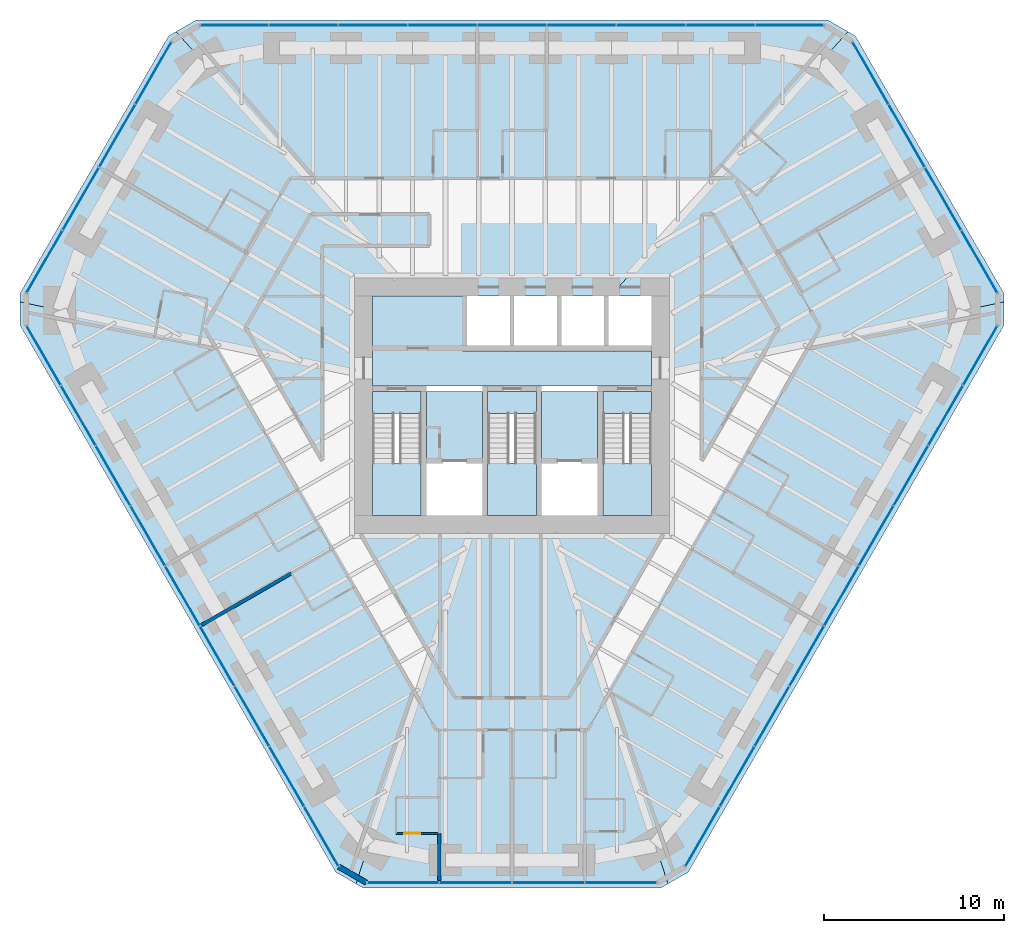
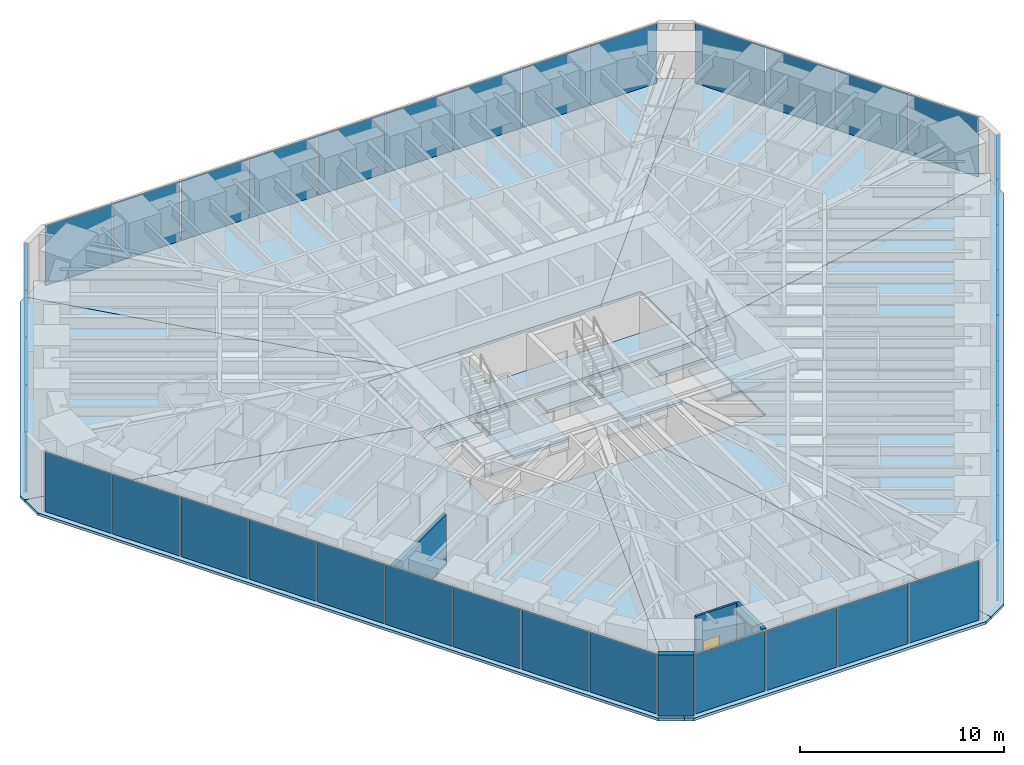
# One storey, part 10 of 16: 39 plates, 15 slabs, 4 walls, 1 door, 1 opening, 9 elements without a shape of their own.
"""IFC4 building model written with IfcOpenShell, lengths in metres."""

from ifc_helpers import new_model, si_unit, direction, frame, frame_2d, origin, origin_2d, place, context, subcontext, project, spatial, polyline, rectangle, outline, extrude, material, layer, layer_set, type_object, element, fill, aggregate, save


model = new_model("IFC4")

# Units and contexts
model_context = context("Model", 3, precision=1e-05, world=origin(), true_north=direction((0.0, 1.0)))
body_context = subcontext(model_context, "Body", "Model", "MODEL_VIEW")
ifc_project = project(units=[si_unit("LENGTHUNIT", "METRE"), si_unit("AREAUNIT", "SQUARE_METRE"), si_unit("VOLUMEUNIT", "CUBIC_METRE"), si_unit("PLANEANGLEUNIT", "RADIAN"), si_unit("MASSUNIT", "GRAM", prefix="KILO")], contexts=[model_context])

# Site, building, storey
site_placement = place(None, origin())
site = spatial("IfcSite", under=ifc_project, at=site_placement, CompositionType="ELEMENT")
building_placement = place(site_placement, origin())
building = spatial("IfcBuilding", under=site, at=building_placement, Name="Sandreach Pilgrim Tower", CompositionType="ELEMENT")
storey_placement = place(building_placement, frame((0.0, 0.0, 183.199951171875)))
storey = spatial("IfcBuildingStorey", under=building, at=storey_placement, Name="L45", CompositionType="ELEMENT", Elevation=183.199951171875)

# Curtain wall, plates
ifc_material_1 = material(Name="Aluminium framed curtain wall", Category="aluminium")
curtain_wall_type = type_object("IfcCurtainWallType", Name="Upper hotel tower curtain wall", PredefinedType="NOTDEFINED", material=ifc_material_1)
curtain_wall_1_placement = place(storey_placement, origin())
curtain_wall_1 = element("IfcCurtainWall", 1, at=curtain_wall_1_placement, inside=storey, type_object=curtain_wall_type, Name="CW-3 L45 N", PredefinedType="NOTDEFINED")
ifc_material_2 = material(Name="Insulating glass unit 12.76 laminated + 20 argon + 12.76 laminated", Category="glass")
ifc_layer_1 = layer(ifc_material_2, 0.0458984375)
ifc_layer_set_1 = layer_set([ifc_layer_1], Name="CW-3 panel")
plate_type = type_object("IfcPlateType", Name="CW-3 panel", PredefinedType="CURTAIN_PANEL", material=ifc_layer_set_1)
plate_1_placement = place(storey_placement, frame((-15.44140625, 21.16015625, 0.0), z_axis=(0.0, 0.0, 1.0), x_axis=(1.0, 0.0, 0.0)))
plate_1 = element("IfcPlate", 2, at=plate_1_placement, type_object=plate_type, Name="CW-3 panel 1", PredefinedType="CURTAIN_PANEL", context=body_context, shape_type="SweptSolid", body=[
    extrude(rectangle(XDim=3.766845703125, YDim=0.0458984375, at=origin_2d()), origin(), (0.0, 0.0, 1.0), 3.570068359375),
])
plate_2_placement = place(storey_placement, frame((-11.59326171875, 21.16015625, 0.0), z_axis=(0.0, 0.0, 1.0), x_axis=(1.0, 0.0, 0.0)))
plate_2 = element("IfcPlate", 3, at=plate_2_placement, type_object=plate_type, Name="CW-3 panel 2", PredefinedType="CURTAIN_PANEL", context=body_context, shape_type="SweptSolid", body=[
    extrude(rectangle(XDim=3.79931640625, YDim=0.0458984375, at=origin_2d()), origin(), (0.0, 0.0, 1.0), 3.570068359375),
])
plate_3_placement = place(storey_placement, frame((-7.728759765625, 21.16015625, 0.0), z_axis=(0.0, 0.0, 1.0), x_axis=(1.0, 0.0, 0.0)))
plate_3 = element("IfcPlate", 4, at=plate_3_placement, type_object=plate_type, Name="CW-3 panel 3", PredefinedType="CURTAIN_PANEL", context=body_context, shape_type="SweptSolid", body=[
    extrude(rectangle(XDim=3.79931640625, YDim=0.0458984375, at=origin_2d()), origin(), (0.0, 0.0, 1.0), 3.570068359375),
])
plate_4_placement = place(storey_placement, frame((-3.864501953125, 21.16015625, 0.0), z_axis=(0.0, 0.0, 1.0), x_axis=(1.0, 0.0, 0.0)))
plate_4 = element("IfcPlate", 5, at=plate_4_placement, type_object=plate_type, Name="CW-3 panel 4", PredefinedType="CURTAIN_PANEL", context=body_context, shape_type="SweptSolid", body=[
    extrude(rectangle(XDim=3.79931640625, YDim=0.0458984375, at=origin_2d()), origin(), (0.0, 0.0, 1.0), 3.570068359375),
])
plate_5_placement = place(storey_placement, frame((0.0, 21.16015625, 0.0), z_axis=(0.0, 0.0, 1.0), x_axis=(1.0, 0.0, 0.0)))
plate_5 = element("IfcPlate", 6, at=plate_5_placement, type_object=plate_type, Name="CW-3 panel 5", PredefinedType="CURTAIN_PANEL", context=body_context, shape_type="SweptSolid", body=[
    extrude(rectangle(XDim=3.79931640625, YDim=0.0458984375, at=origin_2d()), origin(), (0.0, 0.0, 1.0), 3.570068359375),
])
plate_6_placement = place(storey_placement, frame((3.864501953125, 21.16015625, 0.0), z_axis=(0.0, 0.0, 1.0), x_axis=(1.0, 0.0, 0.0)))
plate_6 = element("IfcPlate", 7, at=plate_6_placement, type_object=plate_type, Name="CW-3 panel 6", PredefinedType="CURTAIN_PANEL", context=body_context, shape_type="SweptSolid", body=[
    extrude(rectangle(XDim=3.79931640625, YDim=0.0458984375, at=origin_2d()), origin(), (0.0, 0.0, 1.0), 3.570068359375),
])
plate_7_placement = place(storey_placement, frame((7.728759765625, 21.16015625, 0.0), z_axis=(0.0, 0.0, 1.0), x_axis=(1.0, 0.0, 0.0)))
plate_7 = element("IfcPlate", 8, at=plate_7_placement, type_object=plate_type, Name="CW-3 panel 7", PredefinedType="CURTAIN_PANEL", context=body_context, shape_type="SweptSolid", body=[
    extrude(rectangle(XDim=3.79931640625, YDim=0.0458984375, at=origin_2d()), origin(), (0.0, 0.0, 1.0), 3.570068359375),
])
plate_8_placement = place(storey_placement, frame((11.59326171875, 21.16015625, 0.0), z_axis=(0.0, 0.0, 1.0), x_axis=(1.0, 0.0, 0.0)))
plate_8 = element("IfcPlate", 9, at=plate_8_placement, type_object=plate_type, Name="CW-3 panel 8", PredefinedType="CURTAIN_PANEL", context=body_context, shape_type="SweptSolid", body=[
    extrude(rectangle(XDim=3.79931640625, YDim=0.0458984375, at=origin_2d()), origin(), (0.0, 0.0, 1.0), 3.570068359375),
])
plate_9_placement = place(storey_placement, frame((15.44140625, 21.16015625, 0.0), z_axis=(0.0, 0.0, 1.0), x_axis=(1.0, 0.0, 0.0)))
plate_9 = element("IfcPlate", 10, at=plate_9_placement, type_object=plate_type, Name="CW-3 panel 9", PredefinedType="CURTAIN_PANEL", context=body_context, shape_type="SweptSolid", body=[
    extrude(rectangle(XDim=3.766845703125, YDim=0.0458984375, at=origin_2d()), origin(), (0.0, 0.0, 1.0), 3.570068359375),
])
aggregate(curtain_wall_1, [plate_1, plate_2, plate_3, plate_4, plate_5, plate_6, plate_7, plate_8, plate_9])

curtain_wall_2_placement = place(storey_placement, origin())
curtain_wall_2 = element("IfcCurtainWall", 11, at=curtain_wall_2_placement, inside=storey, type_object=curtain_wall_type, Name="CW-3 L45 NE", PredefinedType="NOTDEFINED")
plate_10_placement = place(storey_placement, frame((19.943115234375, 18.5078125, 0.0), z_axis=(0.0, 0.0, 1.0), x_axis=(0.5, -0.866025403784, 0.0)))
plate_10 = element("IfcPlate", 12, at=plate_10_placement, type_object=plate_type, Name="CW-3 panel 1", PredefinedType="CURTAIN_PANEL", context=body_context, shape_type="SweptSolid", body=[
    extrude(rectangle(XDim=3.951171875, YDim=0.0458984375, at=origin_2d()), origin(), (0.0, 0.0, 1.0), 3.570068359375),
])
plate_11_placement = place(storey_placement, frame((21.959228515625, 15.015625, 0.0), z_axis=(0.0, 0.0, 1.0), x_axis=(0.5, -0.866025403784, 0.0)))
plate_11 = element("IfcPlate", 13, at=plate_11_placement, type_object=plate_type, Name="CW-3 panel 2", PredefinedType="CURTAIN_PANEL", context=body_context, shape_type="SweptSolid", body=[
    extrude(rectangle(XDim=3.983642578125, YDim=0.0458984375, at=origin_2d()), origin(), (0.0, 0.0, 1.0), 3.570068359375),
])
plate_12_placement = place(storey_placement, frame((23.983642578125, 11.509521484375, 0.0), z_axis=(0.0, 0.0, 1.0), x_axis=(0.5, -0.866025403784, 0.0)))
plate_12 = element("IfcPlate", 14, at=plate_12_placement, type_object=plate_type, Name="CW-3 panel 3", PredefinedType="CURTAIN_PANEL", context=body_context, shape_type="SweptSolid", body=[
    extrude(rectangle(XDim=3.983642578125, YDim=0.0458984375, at=origin_2d()), origin(), (0.0, 0.0, 1.0), 3.570068359375),
])
plate_13_placement = place(storey_placement, frame((25.999755859375, 8.017333984375, 0.0), z_axis=(0.0, 0.0, 1.0), x_axis=(0.5, -0.866025403784, 0.0)))
plate_13 = element("IfcPlate", 15, at=plate_13_placement, type_object=plate_type, Name="CW-3 panel 4", PredefinedType="CURTAIN_PANEL", context=body_context, shape_type="SweptSolid", body=[
    extrude(rectangle(XDim=3.951171875, YDim=0.0458984375, at=origin_2d()), origin(), (0.0, 0.0, 1.0), 3.570068359375),
])
aggregate(curtain_wall_2, [plate_10, plate_11, plate_12, plate_13])

curtain_wall_3_placement = place(storey_placement, origin())
curtain_wall_3 = element("IfcCurtainWall", 16, at=curtain_wall_3_placement, inside=storey, type_object=curtain_wall_type, Name="CW-3 L45 SE", PredefinedType="NOTDEFINED")
plate_14_placement = place(storey_placement, frame((26.0458984375, 2.792724609375, 0.0), z_axis=(0.0, 0.0, 1.0), x_axis=(-0.5, -0.866025403784, 0.0)))
plate_14 = element("IfcPlate", 17, at=plate_14_placement, type_object=plate_type, Name="CW-3 panel 1", PredefinedType="CURTAIN_PANEL", context=body_context, shape_type="SweptSolid", body=[
    extrude(rectangle(XDim=3.766845703125, YDim=0.0458984375, at=origin_2d()), origin(), (0.0, 0.0, 1.0), 3.570068359375),
])
plate_15_placement = place(storey_placement, frame((24.121826171875, -0.5400390625, 0.0), z_axis=(0.0, 0.0, 1.0), x_axis=(-0.5, -0.866025403784, 0.0)))
plate_15 = element("IfcPlate", 18, at=plate_15_placement, type_object=plate_type, Name="CW-3 panel 2", PredefinedType="CURTAIN_PANEL", context=body_context, shape_type="SweptSolid", body=[
    extrude(rectangle(XDim=3.79931640625, YDim=0.0458984375, at=origin_2d()), origin(), (0.0, 0.0, 1.0), 3.570068359375),
])
plate_16_placement = place(storey_placement, frame((22.189697265625, -3.88671875, 0.0), z_axis=(0.0, 0.0, 1.0), x_axis=(-0.5, -0.866025403784, 0.0)))
plate_16 = element("IfcPlate", 19, at=plate_16_placement, type_object=plate_type, Name="CW-3 panel 3", PredefinedType="CURTAIN_PANEL", context=body_context, shape_type="SweptSolid", body=[
    extrude(rectangle(XDim=3.79931640625, YDim=0.0458984375, at=origin_2d()), origin(), (0.0, 0.0, 1.0), 3.570068359375),
])
plate_17_placement = place(storey_placement, frame((20.25732421875, -7.2333984375, 0.0), z_axis=(0.0, 0.0, 1.0), x_axis=(-0.5, -0.866025403784, 0.0)))
plate_17 = element("IfcPlate", 20, at=plate_17_placement, type_object=plate_type, Name="CW-3 panel 4", PredefinedType="CURTAIN_PANEL", context=body_context, shape_type="SweptSolid", body=[
    extrude(rectangle(XDim=3.79931640625, YDim=0.0458984375, at=origin_2d()), origin(), (0.0, 0.0, 1.0), 3.570068359375),
])
plate_18_placement = place(storey_placement, frame((18.3251953125, -10.580078125, 0.0), z_axis=(0.0, 0.0, 1.0), x_axis=(-0.5, -0.866025403784, 0.0)))
plate_18 = element("IfcPlate", 21, at=plate_18_placement, type_object=plate_type, Name="CW-3 panel 5", PredefinedType="CURTAIN_PANEL", context=body_context, shape_type="SweptSolid", body=[
    extrude(rectangle(XDim=3.79931640625, YDim=0.0458984375, at=origin_2d()), origin(), (0.0, 0.0, 1.0), 3.570068359375),
])
plate_19_placement = place(storey_placement, frame((16.39306640625, -13.9267578125, 0.0), z_axis=(0.0, 0.0, 1.0), x_axis=(-0.5, -0.866025403784, 0.0)))
plate_19 = element("IfcPlate", 22, at=plate_19_placement, type_object=plate_type, Name="CW-3 panel 6", PredefinedType="CURTAIN_PANEL", context=body_context, shape_type="SweptSolid", body=[
    extrude(rectangle(XDim=3.79931640625, YDim=0.0458984375, at=origin_2d()), origin(), (0.0, 0.0, 1.0), 3.570068359375),
])
plate_20_placement = place(storey_placement, frame((14.460693359375, -17.2734375, 0.0), z_axis=(0.0, 0.0, 1.0), x_axis=(-0.5, -0.866025403784, 0.0)))
plate_20 = element("IfcPlate", 23, at=plate_20_placement, type_object=plate_type, Name="CW-3 panel 7", PredefinedType="CURTAIN_PANEL", context=body_context, shape_type="SweptSolid", body=[
    extrude(rectangle(XDim=3.79931640625, YDim=0.0458984375, at=origin_2d()), origin(), (0.0, 0.0, 1.0), 3.570068359375),
])
plate_21_placement = place(storey_placement, frame((12.528564453125, -20.6201171875, 0.0), z_axis=(0.0, 0.0, 1.0), x_axis=(-0.5, -0.866025403784, 0.0)))
plate_21 = element("IfcPlate", 24, at=plate_21_placement, type_object=plate_type, Name="CW-3 panel 8", PredefinedType="CURTAIN_PANEL", context=body_context, shape_type="SweptSolid", body=[
    extrude(rectangle(XDim=3.79931640625, YDim=0.0458984375, at=origin_2d()), origin(), (0.0, 0.0, 1.0), 3.570068359375),
])
plate_22_placement = place(storey_placement, frame((10.6044921875, -23.95263671875, 0.0), z_axis=(0.0, 0.0, 1.0), x_axis=(-0.5, -0.866025403784, 0.0)))
plate_22 = element("IfcPlate", 25, at=plate_22_placement, type_object=plate_type, Name="CW-3 panel 9", PredefinedType="CURTAIN_PANEL", context=body_context, shape_type="SweptSolid", body=[
    extrude(rectangle(XDim=3.766845703125, YDim=0.0458984375, at=origin_2d()), origin(), (0.0, 0.0, 1.0), 3.570068359375),
])
aggregate(curtain_wall_3, [plate_14, plate_15, plate_16, plate_17, plate_18, plate_19, plate_20, plate_21, plate_22])

curtain_wall_4_placement = place(storey_placement, origin())
curtain_wall_4 = element("IfcCurtainWall", 26, at=curtain_wall_4_placement, inside=storey, type_object=curtain_wall_type, Name="CW-3 L45 S", PredefinedType="NOTDEFINED")
plate_23_placement = place(storey_placement, frame((6.056884765625, -26.525146484375, 0.0), z_axis=(0.0, 0.0, 1.0), x_axis=(-1.0, 0.0, 0.0)))
plate_23 = element("IfcPlate", 27, at=plate_23_placement, type_object=plate_type, Name="CW-3 panel 1", PredefinedType="CURTAIN_PANEL", context=body_context, shape_type="SweptSolid", body=[
    extrude(rectangle(XDim=3.951171875, YDim=0.0458984375, at=origin_2d()), origin(), (0.0, 0.0, 1.0), 3.570068359375),
])
plate_24_placement = place(storey_placement, frame((2.0244140625, -26.525146484375, 0.0), z_axis=(0.0, 0.0, 1.0), x_axis=(-1.0, 0.0, 0.0)))
plate_24 = element("IfcPlate", 28, at=plate_24_placement, type_object=plate_type, Name="CW-3 panel 2", PredefinedType="CURTAIN_PANEL", context=body_context, shape_type="SweptSolid", body=[
    extrude(rectangle(XDim=3.983642578125, YDim=0.0458984375, at=origin_2d()), origin(), (0.0, 0.0, 1.0), 3.570068359375),
])
plate_25_placement = place(storey_placement, frame((-2.0244140625, -26.525146484375, 0.0), z_axis=(0.0, 0.0, 1.0), x_axis=(-1.0, 0.0, 0.0)))
plate_25 = element("IfcPlate", 29, at=plate_25_placement, type_object=plate_type, Name="CW-3 panel 3", PredefinedType="CURTAIN_PANEL", context=body_context, shape_type="SweptSolid", body=[
    extrude(rectangle(XDim=3.983642578125, YDim=0.0458984375, at=origin_2d()), origin(), (0.0, 0.0, 1.0), 3.570068359375),
])
plate_26_placement = place(storey_placement, frame((-6.056884765625, -26.525146484375, 0.0), z_axis=(0.0, 0.0, 1.0), x_axis=(-1.0, 0.0, 0.0)))
plate_26 = element("IfcPlate", 30, at=plate_26_placement, type_object=plate_type, Name="CW-3 panel 4", PredefinedType="CURTAIN_PANEL", context=body_context, shape_type="SweptSolid", body=[
    extrude(rectangle(XDim=3.951171875, YDim=0.0458984375, at=origin_2d()), origin(), (0.0, 0.0, 1.0), 3.570068359375),
])
aggregate(curtain_wall_4, [plate_23, plate_24, plate_25, plate_26])

curtain_wall_5_placement = place(storey_placement, origin())
curtain_wall_5 = element("IfcCurtainWall", 31, at=curtain_wall_5_placement, inside=storey, type_object=curtain_wall_type, Name="CW-3 L45 SW", PredefinedType="NOTDEFINED")
plate_27_placement = place(storey_placement, frame((-10.6044921875, -23.95263671875, 0.0), z_axis=(0.0, 0.0, 1.0), x_axis=(-0.5, 0.866025403784, 0.0)))
plate_27 = element("IfcPlate", 32, at=plate_27_placement, type_object=plate_type, Name="CW-3 panel 1", PredefinedType="CURTAIN_PANEL", context=body_context, shape_type="SweptSolid", body=[
    extrude(rectangle(XDim=3.766845703125, YDim=0.0458984375, at=origin_2d()), origin(), (0.0, 0.0, 1.0), 3.570068359375),
])
plate_28_placement = place(storey_placement, frame((-12.528564453125, -20.6201171875, 0.0), z_axis=(0.0, 0.0, 1.0), x_axis=(-0.5, 0.866025403784, 0.0)))
plate_28 = element("IfcPlate", 33, at=plate_28_placement, type_object=plate_type, Name="CW-3 panel 2", PredefinedType="CURTAIN_PANEL", context=body_context, shape_type="SweptSolid", body=[
    extrude(rectangle(XDim=3.79931640625, YDim=0.0458984375, at=origin_2d()), origin(), (0.0, 0.0, 1.0), 3.570068359375),
])
plate_29_placement = place(storey_placement, frame((-14.460693359375, -17.2734375, 0.0), z_axis=(0.0, 0.0, 1.0), x_axis=(-0.5, 0.866025403784, 0.0)))
plate_29 = element("IfcPlate", 34, at=plate_29_placement, type_object=plate_type, Name="CW-3 panel 3", PredefinedType="CURTAIN_PANEL", context=body_context, shape_type="SweptSolid", body=[
    extrude(rectangle(XDim=3.79931640625, YDim=0.0458984375, at=origin_2d()), origin(), (0.0, 0.0, 1.0), 3.570068359375),
])
plate_30_placement = place(storey_placement, frame((-16.39306640625, -13.9267578125, 0.0), z_axis=(0.0, 0.0, 1.0), x_axis=(-0.5, 0.866025403784, 0.0)))
plate_30 = element("IfcPlate", 35, at=plate_30_placement, type_object=plate_type, Name="CW-3 panel 4", PredefinedType="CURTAIN_PANEL", context=body_context, shape_type="SweptSolid", body=[
    extrude(rectangle(XDim=3.79931640625, YDim=0.0458984375, at=origin_2d()), origin(), (0.0, 0.0, 1.0), 3.570068359375),
])
plate_31_placement = place(storey_placement, frame((-18.3251953125, -10.580078125, 0.0), z_axis=(0.0, 0.0, 1.0), x_axis=(-0.5, 0.866025403784, 0.0)))
plate_31 = element("IfcPlate", 36, at=plate_31_placement, type_object=plate_type, Name="CW-3 panel 5", PredefinedType="CURTAIN_PANEL", context=body_context, shape_type="SweptSolid", body=[
    extrude(rectangle(XDim=3.79931640625, YDim=0.0458984375, at=origin_2d()), origin(), (0.0, 0.0, 1.0), 3.570068359375),
])
plate_32_placement = place(storey_placement, frame((-20.25732421875, -7.2333984375, 0.0), z_axis=(0.0, 0.0, 1.0), x_axis=(-0.5, 0.866025403784, 0.0)))
plate_32 = element("IfcPlate", 37, at=plate_32_placement, type_object=plate_type, Name="CW-3 panel 6", PredefinedType="CURTAIN_PANEL", context=body_context, shape_type="SweptSolid", body=[
    extrude(rectangle(XDim=3.79931640625, YDim=0.0458984375, at=origin_2d()), origin(), (0.0, 0.0, 1.0), 3.570068359375),
])
plate_33_placement = place(storey_placement, frame((-22.189697265625, -3.88671875, 0.0), z_axis=(0.0, 0.0, 1.0), x_axis=(-0.5, 0.866025403784, 0.0)))
plate_33 = element("IfcPlate", 38, at=plate_33_placement, type_object=plate_type, Name="CW-3 panel 7", PredefinedType="CURTAIN_PANEL", context=body_context, shape_type="SweptSolid", body=[
    extrude(rectangle(XDim=3.79931640625, YDim=0.0458984375, at=origin_2d()), origin(), (0.0, 0.0, 1.0), 3.570068359375),
])
plate_34_placement = place(storey_placement, frame((-24.121826171875, -0.5400390625, 0.0), z_axis=(0.0, 0.0, 1.0), x_axis=(-0.5, 0.866025403784, 0.0)))
plate_34 = element("IfcPlate", 39, at=plate_34_placement, type_object=plate_type, Name="CW-3 panel 8", PredefinedType="CURTAIN_PANEL", context=body_context, shape_type="SweptSolid", body=[
    extrude(rectangle(XDim=3.79931640625, YDim=0.0458984375, at=origin_2d()), origin(), (0.0, 0.0, 1.0), 3.570068359375),
])
plate_35_placement = place(storey_placement, frame((-26.0458984375, 2.792724609375, 0.0), z_axis=(0.0, 0.0, 1.0), x_axis=(-0.5, 0.866025403784, 0.0)))
plate_35 = element("IfcPlate", 40, at=plate_35_placement, type_object=plate_type, Name="CW-3 panel 9", PredefinedType="CURTAIN_PANEL", context=body_context, shape_type="SweptSolid", body=[
    extrude(rectangle(XDim=3.766845703125, YDim=0.0458984375, at=origin_2d()), origin(), (0.0, 0.0, 1.0), 3.570068359375),
])
aggregate(curtain_wall_5, [plate_27, plate_28, plate_29, plate_30, plate_31, plate_32, plate_33, plate_34, plate_35])

curtain_wall_6_placement = place(storey_placement, origin())
curtain_wall_6 = element("IfcCurtainWall", 41, at=curtain_wall_6_placement, inside=storey, type_object=curtain_wall_type, Name="CW-3 L45 NW", PredefinedType="NOTDEFINED")
plate_36_placement = place(storey_placement, frame((-25.999755859375, 8.017333984375, 0.0), z_axis=(0.0, 0.0, 1.0), x_axis=(0.5, 0.866025403784, 0.0)))
plate_36 = element("IfcPlate", 42, at=plate_36_placement, type_object=plate_type, Name="CW-3 panel 1", PredefinedType="CURTAIN_PANEL", context=body_context, shape_type="SweptSolid", body=[
    extrude(rectangle(XDim=3.951171875, YDim=0.0458984375, at=origin_2d()), origin(), (0.0, 0.0, 1.0), 3.570068359375),
])
plate_37_placement = place(storey_placement, frame((-23.983642578125, 11.509521484375, 0.0), z_axis=(0.0, 0.0, 1.0), x_axis=(0.5, 0.866025403784, 0.0)))
plate_37 = element("IfcPlate", 43, at=plate_37_placement, type_object=plate_type, Name="CW-3 panel 2", PredefinedType="CURTAIN_PANEL", context=body_context, shape_type="SweptSolid", body=[
    extrude(rectangle(XDim=3.983642578125, YDim=0.0458984375, at=origin_2d()), origin(), (0.0, 0.0, 1.0), 3.570068359375),
])
plate_38_placement = place(storey_placement, frame((-21.959228515625, 15.015625, 0.0), z_axis=(0.0, 0.0, 1.0), x_axis=(0.5, 0.866025403784, 0.0)))
plate_38 = element("IfcPlate", 44, at=plate_38_placement, type_object=plate_type, Name="CW-3 panel 3", PredefinedType="CURTAIN_PANEL", context=body_context, shape_type="SweptSolid", body=[
    extrude(rectangle(XDim=3.983642578125, YDim=0.0458984375, at=origin_2d()), origin(), (0.0, 0.0, 1.0), 3.570068359375),
])
plate_39_placement = place(storey_placement, frame((-19.943115234375, 18.5078125, 0.0), z_axis=(0.0, 0.0, 1.0), x_axis=(0.5, 0.866025403784, 0.0)))
plate_39 = element("IfcPlate", 45, at=plate_39_placement, type_object=plate_type, Name="CW-3 panel 4", PredefinedType="CURTAIN_PANEL", context=body_context, shape_type="SweptSolid", body=[
    extrude(rectangle(XDim=3.951171875, YDim=0.0458984375, at=origin_2d()), origin(), (0.0, 0.0, 1.0), 3.570068359375),
])
aggregate(curtain_wall_6, [plate_36, plate_37, plate_38, plate_39])

# Slabs
ifc_material_3 = material(Name="Concrete 8000 psi", Category="concrete")
ifc_layer_2 = layer(ifc_material_3, 0.159912109375)
ifc_layer_set_2 = layer_set([ifc_layer_2], Name="Composite floor slab 160")
slab_type_1 = type_object("IfcSlabType", Name="Composite floor slab 160", PredefinedType="FLOOR", material=ifc_layer_set_2)
slab_1_placement = place(storey_placement, frame((0.0, 0.0, -0.159912109375)))
element("IfcSlab", 46, at=slab_1_placement, inside=storey, type_object=slab_type_1, Name="Floor slab L45 N sector", PredefinedType="FLOOR", context=body_context, shape_type="SweptSolid", body=[
    extrude(outline(polyline([(-17.56298828125, 21.460205078125), (17.56298828125, 21.460205078125), (18.68701171875, 20.81103515625), (5.477294921875, 6.10009765625), (-5.477294921875, 6.10009765625), (-18.68701171875, 20.81103515625), (-17.56298828125, 21.460205078125)])), origin(), (0.0, 0.0, 1.0), 0.159912109375),
])
slab_2_placement = place(storey_placement, frame((0.0, 0.0, -0.159912109375)))
element("IfcSlab", 47, at=slab_2_placement, inside=storey, type_object=slab_type_1, Name="Floor slab L45 NE sector", PredefinedType="FLOOR", context=body_context, shape_type="SweptSolid", body=[
    extrude(outline(polyline([(19.095947265625, 20.5751953125), (27.366455078125, 6.25), (27.366455078125, 5.778076171875), (7.75, 1.63623046875), (7.75, 6.10009765625), (5.477294921875, 6.10009765625), (18.68701171875, 20.81103515625), (19.095947265625, 20.5751953125)])), origin(), (0.0, 0.0, 1.0), 0.159912109375),
])
slab_3_placement = place(storey_placement, frame((0.0, 0.0, -0.159912109375)))
element("IfcSlab", 48, at=slab_3_placement, inside=storey, type_object=slab_type_1, Name="Floor slab L45 SE sector", PredefinedType="FLOOR", context=body_context, shape_type="SweptSolid", body=[
    extrude(outline(polyline([(27.366455078125, 4.47998046875), (9.803466796875, -25.940185546875), (8.679443359375, -26.589111328125), (1.9912109375, -6.10009765625), (7.75, -6.10009765625), (7.75, 1.63623046875), (27.366455078125, 5.778076171875), (27.366455078125, 4.47998046875)])), origin(), (0.0, 0.0, 1.0), 0.159912109375),
])
slab_4_placement = place(storey_placement, frame((0.0, 0.0, -0.159912109375)))
element("IfcSlab", 49, at=slab_4_placement, inside=storey, type_object=slab_type_1, Name="Floor slab L45 S sector", PredefinedType="FLOOR", context=body_context, shape_type="SweptSolid", body=[
    extrude(outline(polyline([(8.2705078125, -26.8251953125), (-8.2705078125, -26.8251953125), (-8.679443359375, -26.589111328125), (-1.9912109375, -6.10009765625), (1.9912109375, -6.10009765625), (8.679443359375, -26.589111328125), (8.2705078125, -26.8251953125)])), origin(), (0.0, 0.0, 1.0), 0.159912109375),
])
slab_5_placement = place(storey_placement, frame((0.0, 0.0, -0.159912109375)))
element("IfcSlab", 50, at=slab_5_placement, inside=storey, type_object=slab_type_1, Name="Floor slab L45 SW sector", PredefinedType="FLOOR", context=body_context, shape_type="SweptSolid", body=[
    extrude(outline(polyline([(-9.803466796875, -25.940185546875), (-27.366455078125, 4.47998046875), (-27.366455078125, 5.778076171875), (-7.75, 1.63623046875), (-7.75, -6.10009765625), (-1.9912109375, -6.10009765625), (-8.679443359375, -26.589111328125), (-9.803466796875, -25.940185546875)])), origin(), (0.0, 0.0, 1.0), 0.159912109375),
])
slab_6_placement = place(storey_placement, frame((0.0, 0.0, -0.159912109375)))
element("IfcSlab", 51, at=slab_6_placement, inside=storey, type_object=slab_type_1, Name="Floor slab L45 NW sector", PredefinedType="FLOOR", context=body_context, shape_type="SweptSolid", body=[
    extrude(outline(polyline([(-27.366455078125, 6.25), (-19.095947265625, 20.5751953125), (-18.68701171875, 20.81103515625), (-5.477294921875, 6.10009765625), (-7.75, 6.10009765625), (-7.75, 1.63623046875), (-27.366455078125, 5.778076171875), (-27.366455078125, 6.25)])), origin(), (0.0, 0.0, 1.0), 0.159912109375),
])
slab_7_placement = place(storey_placement, frame((0.0, 0.0, -0.159912109375)))
element("IfcSlab", 52, at=slab_7_placement, inside=storey, type_object=slab_type_1, Name="Core floor slab and stores L45", PredefinedType="FLOOR", context=body_context, shape_type="SweptSolid", body=[
    extrude(outline(polyline([(-2.75, 3.35009765625), (-2.75, 3.050048828125), (-0.125, 3.050048828125), (0.125, 3.050048828125), (2.5, 3.050048828125), (2.75, 3.050048828125), (5.125, 3.050048828125), (5.375, 3.050048828125), (7.75, 3.050048828125), (7.75, 1.10009765625), (5.050048828125, 1.10009765625), (4.75, 1.10009765625), (1.64990234375, 1.10009765625), (1.35009765625, 1.10009765625), (-1.35009765625, 1.10009765625), (-1.64990234375, 1.10009765625), (-4.75, 1.10009765625), (-5.050048828125, 1.10009765625), (-7.75, 1.10009765625), (-7.75, 6.10009765625), (-2.64990234375, 6.10009765625), (-2.64990234375, 3.35009765625), (-2.75, 3.35009765625)])), origin(), (0.0, 0.0, 1.0), 0.159912109375),
])
slab_8_placement = place(storey_placement, frame((0.0, 0.0, -0.159912109375)))
element("IfcSlab", 53, at=slab_8_placement, inside=storey, type_object=slab_type_1, Name="Core floor slab and stores L45 2", PredefinedType="FLOOR", context=body_context, shape_type="SweptSolid", body=[
    extrude(outline(polyline([(-1.64990234375, -3.050048828125), (-4.75, -3.050048828125), (-4.75, 0.800048828125), (-1.64990234375, 0.800048828125), (-1.64990234375, -3.050048828125)])), origin(), (0.0, 0.0, 1.0), 0.159912109375),
])
slab_9_placement = place(storey_placement, frame((0.0, 0.0, -0.159912109375)))
element("IfcSlab", 54, at=slab_9_placement, inside=storey, type_object=slab_type_1, Name="Core floor slab and stores L45 3", PredefinedType="FLOOR", context=body_context, shape_type="SweptSolid", body=[
    extrude(outline(polyline([(4.75, -3.050048828125), (1.64990234375, -3.050048828125), (1.64990234375, 0.800048828125), (4.75, 0.800048828125), (4.75, -3.050048828125)])), origin(), (0.0, 0.0, 1.0), 0.159912109375),
])

# Stair, slabs
ifc_material_4 = material(Name="Concrete 8000 psi", Category="concrete")
stair_type = type_object("IfcStairType", Name="Core exit stair", PredefinedType="HALF_TURN_STAIR", material=ifc_material_4)
stair_1_placement = place(storey_placement, origin())
stair_1 = element("IfcStair", 55, at=stair_1_placement, inside=storey, type_object=stair_type, Name="Exit stair ST1 L45", PredefinedType="HALF_TURN_STAIR")
ifc_material_5 = material(Name="Concrete 8000 psi", Category="concrete")
ifc_layer_3 = layer(ifc_material_5, 0.199951171875)
ifc_layer_set_3 = layer_set([ifc_layer_3], Name="Core stair landing 200")
slab_type_2 = type_object("IfcSlabType", Name="Core stair landing 200", PredefinedType="LANDING", material=ifc_layer_set_3)
slab_10_placement = place(storey_placement, frame((0.0, 0.0, -0.199951171875)))
slab_10 = element("IfcSlab", 56, at=slab_10_placement, type_object=slab_type_2, Name="ST1 landing 1", PredefinedType="LANDING", context=body_context, shape_type="SweptSolid", body=[
    extrude(outline(polyline([(-7.75, -0.425048828125), (-5.050048828125, -0.425048828125), (-5.050048828125, 0.800048828125), (-7.75, 0.800048828125), (-7.75, -0.425048828125)])), origin(), (0.0, 0.0, 1.0), 0.199951171875),
])
slab_11_placement = place(storey_placement, frame((0.0, 0.0, 1.699951171875)))
slab_11 = element("IfcSlab", 57, at=slab_11_placement, type_object=slab_type_2, Name="ST1 landing 2", PredefinedType="LANDING", context=body_context, shape_type="SweptSolid", body=[
    extrude(outline(polyline([(-7.75, -6.10009765625), (-5.050048828125, -6.10009765625), (-5.050048828125, -3.175048828125), (-7.75, -3.175048828125), (-7.75, -6.10009765625)])), origin(), (0.0, 0.0, 1.0), 0.2001953125),
])
aggregate(stair_1, [slab_10, slab_11])

stair_2_placement = place(storey_placement, origin())
stair_2 = element("IfcStair", 58, at=stair_2_placement, inside=storey, type_object=stair_type, Name="Exit stair ST3 L45", PredefinedType="HALF_TURN_STAIR")
slab_12_placement = place(storey_placement, frame((0.0, 0.0, -0.199951171875)))
slab_12 = element("IfcSlab", 59, at=slab_12_placement, type_object=slab_type_2, Name="ST3 landing 1", PredefinedType="LANDING", context=body_context, shape_type="SweptSolid", body=[
    extrude(outline(polyline([(-1.35009765625, -0.425048828125), (1.35009765625, -0.425048828125), (1.35009765625, 0.800048828125), (-1.35009765625, 0.800048828125), (-1.35009765625, -0.425048828125)])), origin(), (0.0, 0.0, 1.0), 0.199951171875),
])
slab_13_placement = place(storey_placement, frame((0.0, 0.0, 1.699951171875)))
slab_13 = element("IfcSlab", 60, at=slab_13_placement, type_object=slab_type_2, Name="ST3 landing 2", PredefinedType="LANDING", context=body_context, shape_type="SweptSolid", body=[
    extrude(outline(polyline([(-1.35009765625, -6.10009765625), (1.35009765625, -6.10009765625), (1.35009765625, -3.175048828125), (-1.35009765625, -3.175048828125), (-1.35009765625, -6.10009765625)])), origin(), (0.0, 0.0, 1.0), 0.2001953125),
])
aggregate(stair_2, [slab_12, slab_13])

stair_3_placement = place(storey_placement, origin())
stair_3 = element("IfcStair", 61, at=stair_3_placement, inside=storey, type_object=stair_type, Name="Exit stair ST2 L45", PredefinedType="HALF_TURN_STAIR")
slab_14_placement = place(storey_placement, frame((0.0, 0.0, -0.199951171875)))
slab_14 = element("IfcSlab", 62, at=slab_14_placement, type_object=slab_type_2, Name="ST2 landing 1", PredefinedType="LANDING", context=body_context, shape_type="SweptSolid", body=[
    extrude(outline(polyline([(5.050048828125, -0.425048828125), (7.75, -0.425048828125), (7.75, 0.800048828125), (5.050048828125, 0.800048828125), (5.050048828125, -0.425048828125)])), origin(), (0.0, 0.0, 1.0), 0.199951171875),
])
slab_15_placement = place(storey_placement, frame((0.0, 0.0, 1.699951171875)))
slab_15 = element("IfcSlab", 63, at=slab_15_placement, type_object=slab_type_2, Name="ST2 landing 2", PredefinedType="LANDING", context=body_context, shape_type="SweptSolid", body=[
    extrude(outline(polyline([(5.050048828125, -6.10009765625), (7.75, -6.10009765625), (7.75, -3.175048828125), (5.050048828125, -3.175048828125), (5.050048828125, -6.10009765625)])), origin(), (0.0, 0.0, 1.0), 0.2001953125),
])
aggregate(stair_3, [slab_14, slab_15])

# Wall, opening, door
ifc_material_6 = material(Name="Moisture-resistant gypsum board on steel studs", Category="steel")
ifc_layer_4 = layer(ifc_material_6, 0.1201171875)
ifc_layer_set_4 = layer_set([ifc_layer_4], Name="Bathroom partition 120")
wall_type_1 = type_object("IfcWallType", Name="Bathroom partition 120", PredefinedType="PARTITIONING", material=ifc_layer_set_4)
wall_1_placement = place(storey_placement, frame((-6.449951171875, -23.780029296875, 0.0), z_axis=(0.0, 0.0, 1.0), x_axis=(1.0, 0.0, 0.0)))
wall_1 = element("IfcWall", 64, at=wall_1_placement, inside=storey, type_object=wall_type_1, Name="Bathroom partition L45-046", PredefinedType="PARTITIONING", context=body_context, shape_type="SweptSolid", body=[
    extrude(rectangle(XDim=2.39990234375, YDim=0.1201171875, at=frame_2d((1.199951171875, 0.0))), origin(), (0.0, 0.0, 1.0), 3.64013671875),
])
opening_placement = place(wall_1_placement, frame((0.449951171875, 0.0, 0.0)))
opening = element("IfcOpeningElement", 65, at=opening_placement, cuts=wall_1, Name="Opening D09-12B", PredefinedType="OPENING", context=body_context, shape_type="SweptSolid", body=[
    extrude(rectangle(XDim=0.89990234375, YDim=2.030029296875, at=frame_2d((0.449951171875, 1.01513671875))), frame((0.0, 0.06005859375, 0.0), z_axis=(0.0, -1.0, 0.0), x_axis=(1.0, 0.0, 0.0)), (0.0, 0.0, 1.0), 0.1201171875),
])
ifc_material_7 = material(Name="Timber door, steel frame", Category="steel")
door_type = type_object("IfcDoorType", Name="Bathroom door", OperationType="SINGLE_SWING_LEFT", PredefinedType="DOOR", material=ifc_material_7)
door_placement = place(opening_placement, origin())
door = element("IfcDoor", 66, at=door_placement, inside=storey, type_object=door_type, Name="Door 4512B", OperationType="SINGLE_SWING_LEFT", OverallHeight=2.030029296875, OverallWidth=0.89990234375, PredefinedType="DOOR", context=body_context, shape_type="SweptSolid", body=[
    extrude(rectangle(XDim=0.89990234375, YDim=2.030029296875, at=frame_2d((0.449951171875, 1.01513671875))), frame((0.0, 0.02490234375, 0.0), z_axis=(0.0, -1.0, 0.0), x_axis=(1.0, 0.0, 0.0)), (0.0, 0.0, 1.0), 0.050048828125),
])
fill(opening, door)

# Walls
ifc_material_8 = material(Name="Double steel stud acoustic wall, gypsum board", Category="steel")
ifc_layer_5 = layer(ifc_material_8, 0.199951171875)
ifc_layer_set_5 = layer_set([ifc_layer_5], Name="Party wall 200")
wall_type_2 = type_object("IfcWallType", Name="Party wall 200", PredefinedType="PARTITIONING", material=ifc_layer_set_5)
wall_2_placement = place(storey_placement, frame((-17.256103515625, -12.18994140625, 0.0), z_axis=(0.0, 0.0, 1.0), x_axis=(0.865937714159, 0.500151852138, 0.0)))
element("IfcWall", 67, at=wall_2_placement, inside=storey, type_object=wall_type_2, Name="Party wall L45-009", PredefinedType="PARTITIONING", context=body_context, shape_type="SweptSolid", body=[
    extrude(rectangle(XDim=5.758056640625, YDim=0.199951171875, at=frame_2d((2.87890625, 0.0))), origin(), (0.0, 0.0, 1.0), 3.0380859375),
])
wall_3_placement = place(storey_placement, frame((-4.050048828125, -26.409912109375, 0.0), z_axis=(0.0, 0.0, 1.0), x_axis=(0.0, 1.0, 0.0)))
element("IfcWall", 68, at=wall_3_placement, inside=storey, type_object=wall_type_2, Name="Party wall L45-054", PredefinedType="PARTITIONING", context=body_context, shape_type="SweptSolid", body=[
    extrude(rectangle(XDim=2.6298828125, YDim=0.199951171875, at=frame_2d((1.31494140625, 0.0))), origin(), (0.0, 0.0, 1.0), 3.64013671875),
])
ifc_material_9 = material(Name="Terracotta rainscreen on concrete", Category="masonry")
ifc_layer_6 = layer(ifc_material_9, 0.300048828125)
ifc_layer_set_6 = layer_set([ifc_layer_6], Name="Terracotta chamfer pier")
wall_type_3 = type_object("IfcWallType", Name="Terracotta chamfer pier", PredefinedType="SOLIDWALL", material=ifc_layer_set_6)
wall_4_placement = place(storey_placement, frame((-8.097412109375, -26.525146484375, 0.0), z_axis=(0.0, 0.0, 1.0), x_axis=(-0.866036293601, 0.499981137809, 0.0)))
element("IfcWall", 69, at=wall_4_placement, inside=storey, type_object=wall_type_3, Name="Chamfer pier L45 S", PredefinedType="SOLIDWALL", context=body_context, shape_type="SweptSolid", body=[
    extrude(rectangle(XDim=1.77001953125, YDim=0.300048828125, at=frame_2d((0.885009765625, 0.0))), origin(), (0.0, 0.0, 1.0), 3.64013671875),
])

save(model, "model.ifc")
